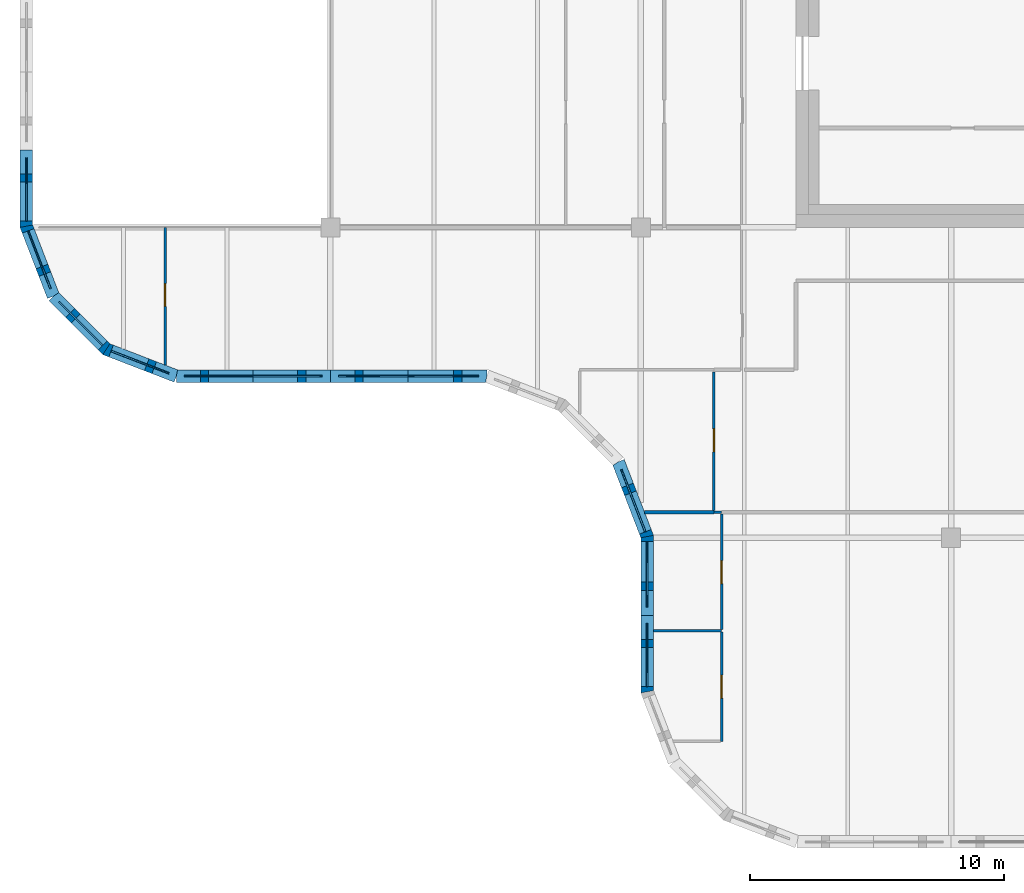
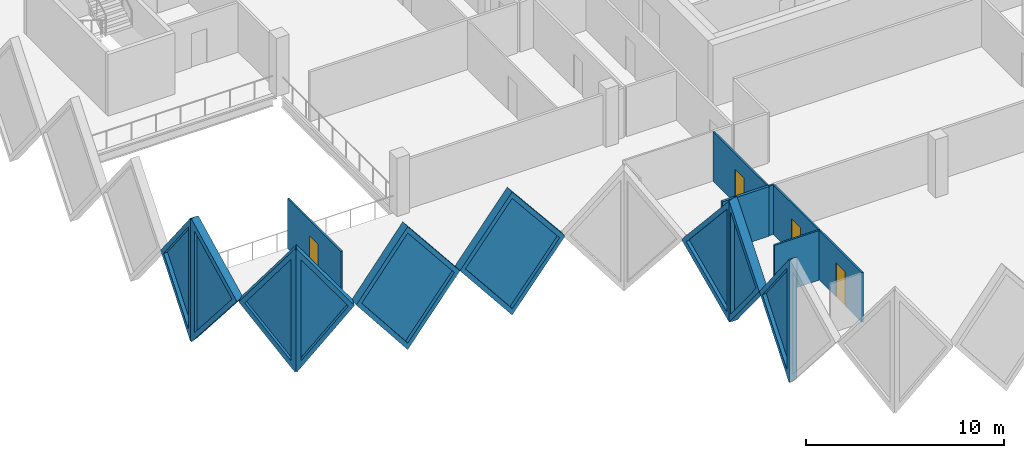
# One storey, part 3 of 11: 16 walls, 9 plates, 4 doors, 13 openings.
"""IFC4 building model written with IfcOpenShell, lengths in metres."""

from ifc_helpers import new_model, si_unit, direction, frame, frame_2d, origin, place, context, subcontext, project, spatial, polyline, rectangle, outline, extrude, faceted_brep, source, transform, mapped, material, layer, layer_set, type_object, element, fill, save


model = new_model("IFC4")

# Units and contexts
model_context = context("Model", 3, precision=1e-05, world=origin(), true_north=direction((0.0, 1.0)))
body_context = subcontext(model_context, "Body", "Model", "MODEL_VIEW")
ifc_project = project(units=[si_unit("LENGTHUNIT", "METRE"), si_unit("AREAUNIT", "SQUARE_METRE"), si_unit("VOLUMEUNIT", "CUBIC_METRE"), si_unit("PLANEANGLEUNIT", "RADIAN"), si_unit("MASSUNIT", "GRAM", prefix="KILO")], contexts=[model_context])

# Site, building, storey
site_placement = place(None, origin())
site = spatial("IfcSite", under=ifc_project, at=site_placement, CompositionType="ELEMENT")
building_placement = place(site_placement, origin())
building = spatial("IfcBuilding", under=site, at=building_placement, Name="Tessera Gate Towers", CompositionType="ELEMENT")
storey_placement = place(building_placement, frame((0.0, 0.0, 201.699951171875)))
storey = spatial("IfcBuildingStorey", under=building, at=storey_placement, Name="L50", CompositionType="ELEMENT", Elevation=201.699951171875)

# Wall, opening, door
ifc_material_1 = material(Name="Glass", Category="glass")
ifc_layer_1 = layer(ifc_material_1, 0.10009765625)
ifc_layer_set_1 = layer_set([ifc_layer_1], Name="GLAZED PARTITION 100")
wall_type_1 = type_object("IfcWallType", Name="GLAZED PARTITION 100", PredefinedType="PARTITIONING", material=ifc_layer_set_1)
wall_1_placement = place(storey_placement, frame((27.574951171875, 4.199951171875, 0.0), z_axis=(0.0, 0.0, 1.0), x_axis=(0.0, 1.0, 0.0)))
wall_1 = element("IfcWall", 1, at=wall_1_placement, inside=storey, type_object=wall_type_1, Name="T1-L50-PW-004", PredefinedType="PARTITIONING", context=body_context, shape_type="SweptSolid", body=[
    extrude(rectangle(XDim=4.296875, YDim=0.10009765625, at=frame_2d((2.1484375, 0.0))), origin(), (0.0, 0.0, 1.0), 3.067138671875),
])
shared_shape_1 = source(origin(), body_context, "Body", "SweptSolid", [
    extrude(rectangle(XDim=0.89990234375, YDim=2.10009765625, at=frame_2d((0.449951171875, 1.050048828125))), frame((0.0, 0.06005859375, 0.0), z_axis=(0.0, -1.0, 0.0), x_axis=(1.0, 0.0, 0.0)), (0.0, 0.0, 1.0), 0.1201171875),
])
opening_1_placement = place(wall_1_placement, frame((1.699951171875, 0.0, 0.0)))
opening_1 = element("IfcOpeningElement", 2, at=opening_1_placement, cuts=wall_1, Name="Opening D690-A18-04", PredefinedType="OPENING", context=body_context, shape_type="MappedRepresentation", body=[
    mapped(shared_shape_1, transform((0.0, 0.0, 0.0), scale=1.0)),
])
ifc_material_2 = material(Name="Glass in aluminium frame", Category="aluminium")
door_type = type_object("IfcDoorType", Name="GLAZED DOOR 900 NOT RATED", OperationType="NOTDEFINED", PredefinedType="DOOR", material=ifc_material_2)
shared_shape_2 = source(origin(), body_context, "Body", "SweptSolid", [
    extrude(rectangle(XDim=0.89990234375, YDim=2.10009765625, at=frame_2d((0.449951171875, 1.050048828125))), frame((0.0, 0.02490234375, 0.0), z_axis=(0.0, -1.0, 0.0), x_axis=(1.0, 0.0, 0.0)), (0.0, 0.0, 1.0), 0.050048828125),
])
door_1_placement = place(opening_1_placement, origin())
door_1 = element("IfcDoor", 3, at=door_1_placement, inside=storey, type_object=door_type, Name="T1-L50-PD-010", OperationType="SINGLE_SWING_LEFT", OverallHeight=2.10009765625, OverallWidth=0.89990234375, PredefinedType="DOOR", context=body_context, shape_type="MappedRepresentation", body=[
    mapped(shared_shape_2, transform((0.0, 0.0, 0.0), scale=1.0)),
])
fill(opening_1, door_1)

wall_2_placement = place(storey_placement, frame((27.574951171875, 8.598876953125, 0.0), z_axis=(0.0, 0.0, 1.0), x_axis=(0.0, 1.0, 0.0)))
wall_2 = element("IfcWall", 4, at=wall_2_placement, inside=storey, type_object=wall_type_1, Name="T1-L50-PW-009", PredefinedType="PARTITIONING", context=body_context, shape_type="SweptSolid", body=[
    extrude(rectangle(XDim=4.525146484375, YDim=0.10009765625, at=frame_2d((2.2626953125, 0.0))), origin(), (0.0, 0.0, 1.0), 3.067138671875),
])
opening_2_placement = place(wall_2_placement, frame((1.800048828125, 0.0, 0.0)))
opening_2 = element("IfcOpeningElement", 5, at=opening_2_placement, cuts=wall_2, Name="Opening D690-A18-01", PredefinedType="OPENING", context=body_context, shape_type="MappedRepresentation", body=[
    mapped(shared_shape_1, transform((0.0, 0.0, 0.0), scale=1.0)),
])
door_2_placement = place(opening_2_placement, origin())
door_2 = element("IfcDoor", 6, at=door_2_placement, inside=storey, type_object=door_type, Name="T1-L50-PD-004", OperationType="SINGLE_SWING_LEFT", OverallHeight=2.10009765625, OverallWidth=0.89990234375, PredefinedType="DOOR", context=body_context, shape_type="MappedRepresentation", body=[
    mapped(shared_shape_2, transform((0.0, 0.0, 0.0), scale=1.0)),
])
fill(opening_2, door_2)

# Wall
wall_3_placement = place(storey_placement, frame((27.27587890625, 13.199951171875, 0.0), z_axis=(0.0, 0.0, 1.0), x_axis=(1.0, 0.0, 0.0)))
element("IfcWall", 7, at=wall_3_placement, inside=storey, type_object=wall_type_1, Name="T1-L50-PW-012", PredefinedType="PARTITIONING", context=body_context, shape_type="SweptSolid", body=[
    extrude(rectangle(XDim=0.298095703125, YDim=0.10009765625, at=frame_2d((0.14892578125, 0.0))), origin(), (0.0, 0.0, 1.0), 3.067138671875),
])

# Wall, opening, door
wall_4_placement = place(storey_placement, frame((27.27490234375, 13.27587890625, 0.0), z_axis=(0.0, 0.0, 1.0), x_axis=(0.0, 1.0, 0.0)))
wall_4 = element("IfcWall", 8, at=wall_4_placement, inside=storey, type_object=wall_type_1, Name="T1-L50-PW-014", PredefinedType="PARTITIONING", context=body_context, shape_type="SweptSolid", body=[
    extrude(rectangle(XDim=5.4482421875, YDim=0.10009765625, at=frame_2d((2.72412109375, 0.0))), origin(), (0.0, 0.0, 1.0), 3.067138671875),
])
opening_3_placement = place(wall_4_placement, frame((2.300048828125, 0.0, 0.0)))
opening_3 = element("IfcOpeningElement", 9, at=opening_3_placement, cuts=wall_4, Name="Opening D690-A18-03", PredefinedType="OPENING", context=body_context, shape_type="MappedRepresentation", body=[
    mapped(shared_shape_1, transform((0.0, 0.0, 0.0), scale=1.0)),
])
door_3_placement = place(opening_3_placement, origin())
door_3 = element("IfcDoor", 10, at=door_3_placement, inside=storey, type_object=door_type, Name="T1-L50-PD-008", OperationType="SINGLE_SWING_LEFT", OverallHeight=2.10009765625, OverallWidth=0.89990234375, PredefinedType="DOOR", context=body_context, shape_type="MappedRepresentation", body=[
    mapped(shared_shape_2, transform((0.0, 0.0, 0.0), scale=1.0)),
])
fill(opening_3, door_3)

wall_5_placement = place(storey_placement, frame((5.699951171875, 18.990234375, 0.0), z_axis=(0.0, 0.0, 1.0), x_axis=(0.0, 1.0, 0.0)))
wall_5 = element("IfcWall", 11, at=wall_5_placement, inside=storey, type_object=wall_type_1, Name="T1-L50-PW-025", PredefinedType="PARTITIONING", context=body_context, shape_type="SweptSolid", body=[
    extrude(rectangle(XDim=5.40966796875, YDim=0.10009765625, at=frame_2d((2.704833984375, 0.0))), origin(), (0.0, 0.0, 1.0), 3.067138671875),
])
opening_4_placement = place(wall_5_placement, frame((2.300048828125, 0.0, 0.0)))
opening_4 = element("IfcOpeningElement", 12, at=opening_4_placement, cuts=wall_5, Name="Opening D690-A18-02", PredefinedType="OPENING", context=body_context, shape_type="MappedRepresentation", body=[
    mapped(shared_shape_1, transform((0.0, 0.0, 0.0), scale=1.0)),
])
door_4_placement = place(opening_4_placement, origin())
door_4 = element("IfcDoor", 13, at=door_4_placement, inside=storey, type_object=door_type, Name="T1-L50-PD-007", OperationType="SINGLE_SWING_LEFT", OverallHeight=2.10009765625, OverallWidth=0.89990234375, PredefinedType="DOOR", context=body_context, shape_type="MappedRepresentation", body=[
    mapped(shared_shape_2, transform((0.0, 0.0, 0.0), scale=1.0)),
])
fill(opening_4, door_4)

# Walls
ifc_material_3 = material(Name="Gypsum board on steel studs", Category="steel")
ifc_layer_2 = layer(ifc_material_3, 0.10009765625)
ifc_layer_set_2 = layer_set([ifc_layer_2], Name="PARTITION 100")
wall_type_2 = type_object("IfcWallType", Name="PARTITION 100", PredefinedType="PARTITIONING", material=ifc_layer_set_2)
wall_6_placement = place(storey_placement, frame((24.89990234375, 8.548095703125, 0.0), z_axis=(0.0, 0.0, 1.0), x_axis=(1.0, 0.0, 0.0)))
element("IfcWall", 14, at=wall_6_placement, inside=storey, type_object=wall_type_2, Name="T1-L50-PW-008", PredefinedType="PARTITIONING", context=body_context, shape_type="SweptSolid", body=[
    extrude(rectangle(XDim=2.675048828125, YDim=0.10009765625, at=frame_2d((1.33740234375, 0.0))), origin(), (0.0, 0.0, 1.0), 3.067138671875),
])
ifc_material_4 = material(Name="Gypsum board on steel studs, mineral wool", Category="steel")
ifc_layer_3 = layer(ifc_material_4, 0.14990234375)
ifc_layer_set_3 = layer_set([ifc_layer_3], Name="TENANCY WALL 150")
wall_type_3 = type_object("IfcWallType", Name="TENANCY WALL 150", PredefinedType="PARTITIONING", material=ifc_layer_set_3)
wall_7_placement = place(storey_placement, frame((24.55029296875, 13.199951171875, 0.0), z_axis=(0.0, 0.0, 1.0), x_axis=(1.0, 0.0, 0.0)))
element("IfcWall", 15, at=wall_7_placement, inside=storey, type_object=wall_type_3, Name="T1-L50-PW-011", PredefinedType="PARTITIONING", context=body_context, shape_type="SweptSolid", body=[
    extrude(rectangle(XDim=2.724609375, YDim=0.14990234375, at=frame_2d((1.3623046875, 0.0))), origin(), (0.0, 0.0, 1.0), 3.067138671875),
])

# Wall, opening, plate
ifc_material_5 = material(Name="Precast concrete C60/75 white", Category="concrete")
ifc_layer_4 = layer(ifc_material_5, 0.5)
ifc_layer_set_4 = layer_set([ifc_layer_4], Name="TS1 tessera")
wall_type_4 = type_object("IfcWallType", Name="TS1 tessera", PredefinedType="SOLIDWALL", material=ifc_layer_set_4)
shared_shape_3 = source(origin(), body_context, "Body", "Brep", [
    faceted_brep([(3.00341796875, -0.25, 0.0), (6.053466796875, -0.25, 3.800048828125), (3.00341796875, -0.25, 7.60009765625), (0.0, -0.25, 3.800048828125), (0.046630859375, 0.25, 3.85888671875), (3.00341796875, 0.25, 7.60009765625), (6.053466796875, 0.25, 3.800048828125), (3.00341796875, 0.25, 0.0), (0.046630859375, 0.25, 3.7412109375), (0.0, 0.0, 3.800048828125)], [[[0, 1, 2, 3]], [[4, 5, 6, 7, 8]], [[7, 6, 1, 0]], [[6, 5, 2, 1]], [[5, 4, 9, 3, 2]], [[8, 7, 0, 3, 9]], [[8, 9, 4]]]),
])
wall_8_placement = place(storey_placement, frame((6.146484375, 18.550048828125, -3.800048828125), z_axis=(0.0, 0.0, 1.0), x_axis=(1.0, 0.0, 0.0)))
wall_8 = element("IfcWall", 16, at=wall_8_placement, inside=storey, type_object=wall_type_4, Name="Precast tessera T1 TS1-0872", PredefinedType="SOLIDWALL", context=body_context, shape_type="MappedRepresentation", body=[
    mapped(shared_shape_3, transform((0.0, 0.0, 0.0), scale=1.0)),
])
shared_shape_4 = source(origin(), body_context, "Body", "SweptSolid", [
    extrude(outline(polyline([(3.0048828125, 0.4013671875), (5.73291015625, 3.800048828125), (3.0048828125, 7.19873046875), (0.318603515625, 3.800048828125), (3.0048828125, 0.4013671875)])), frame((0.0, 0.260009765625, 0.0), z_axis=(0.0, -1.0, 0.0), x_axis=(1.0, 0.0, 0.0)), (0.0, 0.0, 1.0), 0.52001953125),
])
opening_5_placement = place(wall_8_placement, origin())
opening_5 = element("IfcOpeningElement", 17, at=opening_5_placement, cuts=wall_8, Name="Opening T1-PL2-1776", PredefinedType="OPENING", context=body_context, shape_type="MappedRepresentation", body=[
    mapped(shared_shape_4, transform((0.0, 0.0, 0.0), scale=1.0)),
])
ifc_material_6 = material(Name="Low-e laminated glass", Category="glass")
ifc_layer_5 = layer(ifc_material_6, 0.06005859375)
ifc_layer_set_5 = layer_set([ifc_layer_5], Name="PL2 rhombic pane")
plate_type = type_object("IfcPlateType", Name="PL2 rhombic pane", PredefinedType="SHEET", material=ifc_layer_set_5)
shared_shape_5 = source(origin(), body_context, "Body", "SweptSolid", [
    extrude(outline(polyline([(3.0048828125, 0.4013671875), (5.73291015625, 3.800048828125), (3.0048828125, 7.19873046875), (0.318603515625, 3.800048828125), (3.0048828125, 0.4013671875)])), frame((0.0, 0.030029296875, 0.0), z_axis=(0.0, -1.0, 0.0), x_axis=(1.0, 0.0, 0.0)), (0.0, 0.0, 1.0), 0.06005859375),
])
plate_1_placement = place(opening_5_placement, origin())
plate_1 = element("IfcPlate", 18, at=plate_1_placement, inside=storey, type_object=plate_type, Name="Glass pane T1 PL2-1776", PredefinedType="SHEET", context=body_context, shape_type="MappedRepresentation", body=[
    mapped(shared_shape_5, transform((0.0, 0.0, 0.0), scale=1.0)),
])
fill(opening_5, plate_1)

ifc_material_7 = material(Name="Precast concrete C60/75 white", Category="concrete")
ifc_layer_6 = layer(ifc_material_7, 0.5)
ifc_layer_set_6 = layer_set([ifc_layer_6], Name="TS3 corner tessera")
wall_type_5 = type_object("IfcWallType", Name="TS3 corner tessera", PredefinedType="SOLIDWALL", material=ifc_layer_set_6)
shared_shape_6 = source(origin(), body_context, "Body", "Brep", [
    faceted_brep([(3.00341796875, -0.25, 0.0), (3.050048828125, -0.25, 0.06005859375), (3.050048828125, -0.25, 7.5400390625), (3.00341796875, -0.25, 7.60009765625), (0.0, -0.25, 3.800048828125), (0.0, 0.25, 3.800048828125), (2.956787109375, 0.25, 7.541259765625), (2.956787109375, 0.25, 0.058837890625), (3.00341796875, 0.000244140625, 0.0), (3.00341796875, 0.000244140625, 7.60009765625)], [[[0, 1, 2, 3, 4]], [[5, 6, 7]], [[1, 0, 8]], [[9, 3, 2]], [[6, 5, 4, 3, 9]], [[5, 7, 8, 0, 4]], [[1, 8, 7, 6, 9, 2]]]),
])
wall_9_placement = place(storey_placement, frame((0.25, 27.449951171875, -3.800048828125), z_axis=(0.0, 0.0, 1.0), x_axis=(0.0, -1.0, 0.0)))
wall_9 = element("IfcWall", 19, at=wall_9_placement, inside=storey, type_object=wall_type_5, Name="Precast corner tessera T1 TS3-1165", PredefinedType="SOLIDWALL", context=body_context, shape_type="MappedRepresentation", body=[
    mapped(shared_shape_6, transform((0.0, 0.0, 0.0), scale=1.0)),
])
shared_shape_7 = source(origin(), body_context, "Body", "SweptSolid", [
    extrude(outline(polyline([(2.803466796875, 6.94384765625), (0.318603515625, 3.800048828125), (2.803466796875, 0.65625), (2.803466796875, 6.94384765625)])), frame((0.0, 0.260009765625, 0.0), z_axis=(0.0, -1.0, 0.0), x_axis=(1.0, 0.0, 0.0)), (0.0, 0.0, 1.0), 0.52001953125),
])
opening_6_placement = place(wall_9_placement, origin())
opening_6 = element("IfcOpeningElement", 20, at=opening_6_placement, cuts=wall_9, Name="Opening T1-PL2-1772", PredefinedType="OPENING", context=body_context, shape_type="MappedRepresentation", body=[
    mapped(shared_shape_7, transform((0.0, 0.0, 0.0), scale=1.0)),
])
shared_shape_8 = source(origin(), body_context, "Body", "SweptSolid", [
    extrude(outline(polyline([(2.803466796875, 6.94384765625), (0.318603515625, 3.800048828125), (2.803466796875, 0.65625), (2.803466796875, 6.94384765625)])), frame((0.0, 0.030029296875, 0.0), z_axis=(0.0, -1.0, 0.0), x_axis=(1.0, 0.0, 0.0)), (0.0, 0.0, 1.0), 0.06005859375),
])
plate_2_placement = place(opening_6_placement, origin())
plate_2 = element("IfcPlate", 21, at=plate_2_placement, inside=storey, type_object=plate_type, Name="Glass pane T1 PL2-1772", PredefinedType="SHEET", context=body_context, shape_type="MappedRepresentation", body=[
    mapped(shared_shape_8, transform((0.0, 0.0, 0.0), scale=1.0)),
])
fill(opening_6, plate_2)

wall_10_placement = place(storey_placement, frame((24.64990234375, 9.14990234375, -3.800048828125), z_axis=(0.0, 0.0, 1.0), x_axis=(0.0, -1.0, 0.0)))
wall_10 = element("IfcWall", 22, at=wall_10_placement, inside=storey, type_object=wall_type_5, Name="Precast corner tessera T1 TS3-1173", PredefinedType="SOLIDWALL", context=body_context, shape_type="MappedRepresentation", body=[
    mapped(shared_shape_6, transform((0.0, 0.0, 0.0), scale=1.0)),
])
opening_7_placement = place(wall_10_placement, origin())
opening_7 = element("IfcOpeningElement", 23, at=opening_7_placement, cuts=wall_10, Name="Opening T1-PL2-1782", PredefinedType="OPENING", context=body_context, shape_type="MappedRepresentation", body=[
    mapped(shared_shape_7, transform((0.0, 0.0, 0.0), scale=1.0)),
])
plate_3_placement = place(opening_7_placement, origin())
plate_3 = element("IfcPlate", 24, at=plate_3_placement, inside=storey, type_object=plate_type, Name="Glass pane T1 PL2-1782", PredefinedType="SHEET", context=body_context, shape_type="MappedRepresentation", body=[
    mapped(shared_shape_8, transform((0.0, 0.0, 0.0), scale=1.0)),
])
fill(opening_7, plate_3)

shared_shape_9 = source(origin(), body_context, "Body", "Brep", [
    faceted_brep([(0.046630859375, -0.25, 0.0), (2.9970703125, -0.25, 3.800048828125), (0.046630859375, -0.25, 7.60009765625), (0.0, -0.25, 7.541259765625), (0.0, -0.25, 0.058837890625), (0.09326171875, 0.25, 7.5400390625), (2.9443359375, 0.25, 3.8681640625), (2.9443359375, 0.25, 3.73193359375), (0.09326171875, 0.25, 0.06005859375), (2.9970703125, 0.00048828125, 3.800048828125), (0.046630859375, 0.0, 0.0), (0.046630859375, 0.0, 7.60009765625)], [[[0, 1, 2, 3, 4]], [[5, 6, 7, 8]], [[8, 7, 9, 1, 0, 10]], [[6, 5, 11, 2, 1, 9]], [[3, 2, 11]], [[10, 0, 4]], [[8, 10, 4, 3, 11, 5]], [[9, 7, 6]]]),
])
wall_11_placement = place(storey_placement, frame((0.233154296875, 24.489990234375, -3.800048828125), z_axis=(0.0, 0.0, 1.0), x_axis=(0.359901446078, -0.932990326376, 0.0)))
wall_11 = element("IfcWall", 25, at=wall_11_placement, inside=storey, type_object=wall_type_5, Name="Precast corner tessera T1 TS3-1166", PredefinedType="SOLIDWALL", context=body_context, shape_type="MappedRepresentation", body=[
    mapped(shared_shape_9, transform((0.0, 0.0, 0.0), scale=1.0)),
])
shared_shape_10 = source(origin(), body_context, "Body", "SweptSolid", [
    extrude(outline(polyline([(0.24658203125, 0.665283203125), (2.6806640625, 3.800048828125), (0.24658203125, 6.934814453125), (0.24658203125, 0.665283203125)])), frame((0.0, 0.260009765625, 0.0), z_axis=(0.0, -1.0, 0.0), x_axis=(1.0, 0.0, 0.0)), (0.0, 0.0, 1.0), 0.52001953125),
])
opening_8_placement = place(wall_11_placement, origin())
opening_8 = element("IfcOpeningElement", 26, at=opening_8_placement, cuts=wall_11, Name="Opening T1-PL2-1773", PredefinedType="OPENING", context=body_context, shape_type="MappedRepresentation", body=[
    mapped(shared_shape_10, transform((0.0, 0.0, 0.0), scale=1.0)),
])
shared_shape_11 = source(origin(), body_context, "Body", "SweptSolid", [
    extrude(outline(polyline([(0.24658203125, 0.665283203125), (2.6806640625, 3.800048828125), (0.24658203125, 6.934814453125), (0.24658203125, 0.665283203125)])), frame((0.0, 0.030029296875, 0.0), z_axis=(0.0, -1.0, 0.0), x_axis=(1.0, 0.0, 0.0)), (0.0, 0.0, 1.0), 0.06005859375),
])
plate_4_placement = place(opening_8_placement, origin())
plate_4 = element("IfcPlate", 27, at=plate_4_placement, inside=storey, type_object=plate_type, Name="Glass pane T1 PL2-1773", PredefinedType="SHEET", context=body_context, shape_type="MappedRepresentation", body=[
    mapped(shared_shape_11, transform((0.0, 0.0, 0.0), scale=1.0)),
])
fill(opening_8, plate_4)

shared_shape_12 = source(origin(), body_context, "Body", "Brep", [
    faceted_brep([(0.052978515625, -0.25, 0.0), (3.00341796875, -0.25, 3.800048828125), (0.052978515625, -0.25, 7.60009765625), (0.0, -0.25, 7.53173828125), (0.0, -0.25, 0.068359375), (0.10595703125, 0.25, 7.531982421875), (2.95703125, 0.25, 3.85986328125), (2.95703125, 0.25, 3.740234375), (0.10595703125, 0.25, 0.068115234375), (3.00341796875, 0.00048828125, 3.800048828125), (0.052978515625, 0.0, 0.0), (0.052978515625, 0.0, 7.60009765625)], [[[0, 1, 2, 3, 4]], [[5, 6, 7, 8]], [[8, 7, 9, 1, 0, 10]], [[6, 5, 11, 2, 1, 9]], [[3, 2, 11]], [[10, 0, 4]], [[8, 10, 4, 3, 11, 5]], [[9, 7, 6]]]),
])
wall_12_placement = place(storey_placement, frame((3.34423828125, 19.630859375, -3.800048828125), z_axis=(0.0, 0.0, 1.0), x_axis=(0.933007896601, -0.359855894603, 0.0)))
wall_12 = element("IfcWall", 28, at=wall_12_placement, inside=storey, type_object=wall_type_5, Name="Precast corner tessera T1 TS3-1168", PredefinedType="SOLIDWALL", context=body_context, shape_type="MappedRepresentation", body=[
    mapped(shared_shape_12, transform((0.0, 0.0, 0.0), scale=1.0)),
])
shared_shape_13 = source(origin(), body_context, "Body", "SweptSolid", [
    extrude(outline(polyline([(0.2529296875, 0.665283203125), (2.68701171875, 3.800048828125), (0.2529296875, 6.934814453125), (0.2529296875, 0.665283203125)])), frame((0.0, 0.260009765625, 0.0), z_axis=(0.0, -1.0, 0.0), x_axis=(1.0, 0.0, 0.0)), (0.0, 0.0, 1.0), 0.52001953125),
])
opening_9_placement = place(wall_12_placement, origin())
opening_9 = element("IfcOpeningElement", 29, at=opening_9_placement, cuts=wall_12, Name="Opening T1-PL2-1775", PredefinedType="OPENING", context=body_context, shape_type="MappedRepresentation", body=[
    mapped(shared_shape_13, transform((0.0, 0.0, 0.0), scale=1.0)),
])
shared_shape_14 = source(origin(), body_context, "Body", "SweptSolid", [
    extrude(outline(polyline([(0.2529296875, 0.665283203125), (2.68701171875, 3.800048828125), (0.2529296875, 6.934814453125), (0.2529296875, 0.665283203125)])), frame((0.0, 0.030029296875, 0.0), z_axis=(0.0, -1.0, 0.0), x_axis=(1.0, 0.0, 0.0)), (0.0, 0.0, 1.0), 0.06005859375),
])
plate_5_placement = place(opening_9_placement, origin())
plate_5 = element("IfcPlate", 30, at=plate_5_placement, inside=storey, type_object=plate_type, Name="Glass pane T1 PL2-1775", PredefinedType="SHEET", context=body_context, shape_type="MappedRepresentation", body=[
    mapped(shared_shape_14, transform((0.0, 0.0, 0.0), scale=1.0)),
])
fill(opening_9, plate_5)

shared_shape_15 = source(origin(), body_context, "Body", "Brep", [
    faceted_brep([(2.944091796875, -0.25, 0.0), (2.9970703125, -0.25, 0.068115234375), (2.9970703125, -0.25, 7.531982421875), (2.944091796875, -0.25, 7.60009765625), (0.0, -0.25, 3.800048828125), (0.052978515625, 0.25, 3.868408203125), (2.89111328125, 0.25, 7.531982421875), (2.89111328125, 0.25, 0.068115234375), (0.052978515625, 0.25, 3.731689453125), (2.944091796875, 0.000244140625, 0.0), (2.944091796875, 0.000244140625, 7.60009765625), (0.0, 0.0, 3.800048828125)], [[[0, 1, 2, 3, 4]], [[5, 6, 7, 8]], [[1, 0, 9]], [[10, 3, 2]], [[6, 5, 11, 4, 3, 10]], [[8, 7, 9, 0, 4, 11]], [[8, 11, 5]], [[1, 9, 7, 6, 10, 2]]]),
])
wall_13_placement = place(storey_placement, frame((1.31201171875, 21.69384765625, -3.800048828125), z_axis=(0.0, 0.0, 1.0), x_axis=(0.707066050402, -0.707147509625, 0.0)))
wall_13 = element("IfcWall", 31, at=wall_13_placement, inside=storey, type_object=wall_type_5, Name="Precast corner tessera T1 TS3-1167", PredefinedType="SOLIDWALL", context=body_context, shape_type="MappedRepresentation", body=[
    mapped(shared_shape_15, transform((0.0, 0.0, 0.0), scale=1.0)),
])
shared_shape_16 = source(origin(), body_context, "Body", "SweptSolid", [
    extrude(outline(polyline([(2.744140625, 6.933837890625), (0.316162109375, 3.800048828125), (2.744140625, 0.66650390625), (2.744140625, 6.933837890625)])), frame((0.0, 0.260009765625, 0.0), z_axis=(0.0, -1.0, 0.0), x_axis=(1.0, 0.0, 0.0)), (0.0, 0.0, 1.0), 0.52001953125),
])
opening_10_placement = place(wall_13_placement, origin())
opening_10 = element("IfcOpeningElement", 32, at=opening_10_placement, cuts=wall_13, Name="Opening T1-PL2-1774", PredefinedType="OPENING", context=body_context, shape_type="MappedRepresentation", body=[
    mapped(shared_shape_16, transform((0.0, 0.0, 0.0), scale=1.0)),
])
shared_shape_17 = source(origin(), body_context, "Body", "SweptSolid", [
    extrude(outline(polyline([(2.744140625, 6.933837890625), (0.316162109375, 3.800048828125), (2.744140625, 0.66650390625), (2.744140625, 6.933837890625)])), frame((0.0, 0.030029296875, 0.0), z_axis=(0.0, -1.0, 0.0), x_axis=(1.0, 0.0, 0.0)), (0.0, 0.0, 1.0), 0.06005859375),
])
plate_6_placement = place(opening_10_placement, origin())
plate_6 = element("IfcPlate", 33, at=plate_6_placement, inside=storey, type_object=plate_type, Name="Glass pane T1 PL2-1774", PredefinedType="SHEET", context=body_context, shape_type="MappedRepresentation", body=[
    mapped(shared_shape_17, transform((0.0, 0.0, 0.0), scale=1.0)),
])
fill(opening_10, plate_6)

shared_shape_18 = source(origin(), body_context, "Body", "Brep", [
    faceted_brep([(3.050048828125, -0.25, 0.0), (6.10009765625, -0.25, 3.742919921875), (6.10009765625, -0.25, 3.857177734375), (3.050048828125, -0.25, 7.60009765625), (0.0, -0.25, 3.800048828125), (0.0, 0.25, 3.800048828125), (3.050048828125, 0.25, 7.60009765625), (6.146484375, 0.25, 3.800048828125), (3.050048828125, 0.25, 0.0), (6.146484375, -0.000244140625, 3.800048828125)], [[[0, 1, 2, 3, 4]], [[5, 6, 7, 8]], [[8, 7, 9, 1, 0]], [[7, 6, 3, 2, 9]], [[6, 5, 4, 3]], [[5, 8, 0, 4]], [[1, 9, 2]]]),
])
wall_14_placement = place(storey_placement, frame((12.199951171875, 18.550048828125, -3.800048828125), z_axis=(0.0, 0.0, 1.0), x_axis=(1.0, 0.0, 0.0)))
wall_14 = element("IfcWall", 34, at=wall_14_placement, inside=storey, type_object=wall_type_4, Name="Precast tessera T1 TS1-0873", PredefinedType="SOLIDWALL", context=body_context, shape_type="MappedRepresentation", body=[
    mapped(shared_shape_18, transform((0.0, 0.0, 0.0), scale=1.0)),
])
shared_shape_19 = source(origin(), body_context, "Body", "SweptSolid", [
    extrude(outline(polyline([(3.051513671875, 0.397705078125), (5.823974609375, 3.800048828125), (3.051513671875, 7.20263671875), (0.320556640625, 3.800048828125), (3.051513671875, 0.397705078125)])), frame((0.0, 0.260009765625, 0.0), z_axis=(0.0, -1.0, 0.0), x_axis=(1.0, 0.0, 0.0)), (0.0, 0.0, 1.0), 0.52001953125),
])
opening_11_placement = place(wall_14_placement, origin())
opening_11 = element("IfcOpeningElement", 35, at=opening_11_placement, cuts=wall_14, Name="Opening T1-PL2-1777", PredefinedType="OPENING", context=body_context, shape_type="MappedRepresentation", body=[
    mapped(shared_shape_19, transform((0.0, 0.0, 0.0), scale=1.0)),
])
shared_shape_20 = source(origin(), body_context, "Body", "SweptSolid", [
    extrude(outline(polyline([(3.051513671875, 0.397705078125), (5.823974609375, 3.800048828125), (3.051513671875, 7.20263671875), (0.320556640625, 3.800048828125), (3.051513671875, 0.397705078125)])), frame((0.0, 0.030029296875, 0.0), z_axis=(0.0, -1.0, 0.0), x_axis=(1.0, 0.0, 0.0)), (0.0, 0.0, 1.0), 0.06005859375),
])
plate_7_placement = place(opening_11_placement, origin())
plate_7 = element("IfcPlate", 36, at=plate_7_placement, inside=storey, type_object=plate_type, Name="Glass pane T1 PL2-1777", PredefinedType="SHEET", context=body_context, shape_type="MappedRepresentation", body=[
    mapped(shared_shape_20, transform((0.0, 0.0, 0.0), scale=1.0)),
])
fill(opening_11, plate_7)

shared_shape_21 = source(origin(), body_context, "Body", "Brep", [
    faceted_brep([(3.10302734375, -0.25, 7.5439453125), (0.052978515625, -0.25, 3.864013671875), (0.052978515625, -0.25, 3.736083984375), (3.10302734375, -0.25, 0.05615234375), (0.0, 0.25, 3.800048828125), (3.1494140625, 0.25, 7.60009765625), (3.196044921875, 0.25, 7.54296875), (3.196044921875, 0.25, 0.05712890625), (3.1494140625, 0.25, 0.0), (3.1494140625, -0.000244140625, 0.0), (3.1494140625, -0.000244140625, 7.60009765625), (0.0, 0.0, 3.800048828125)], [[[0, 1, 2, 3]], [[4, 5, 6, 7, 8]], [[8, 7, 9]], [[6, 5, 10]], [[5, 4, 11, 1, 0, 10]], [[4, 8, 9, 3, 2, 11]], [[11, 2, 1]], [[3, 9, 7, 6, 10, 0]]]),
])
wall_15_placement = place(storey_placement, frame((23.5166015625, 15.18505859375, -3.800048828125), z_axis=(0.0, 0.0, 1.0), x_axis=(0.359864468756, -0.933004589553, 0.0)))
wall_15 = element("IfcWall", 37, at=wall_15_placement, inside=storey, type_object=wall_type_5, Name="Precast corner tessera T1 TS3-1171", PredefinedType="SOLIDWALL", context=body_context, shape_type="MappedRepresentation", body=[
    mapped(shared_shape_21, transform((0.0, 0.0, 0.0), scale=1.0)),
])
shared_shape_22 = source(origin(), body_context, "Body", "SweptSolid", [
    extrude(outline(polyline([(2.949462890625, 6.967041015625), (0.32470703125, 3.800048828125), (2.949462890625, 0.63330078125), (2.949462890625, 6.967041015625)])), frame((0.0, 0.260009765625, 0.0), z_axis=(0.0, -1.0, 0.0), x_axis=(1.0, 0.0, 0.0)), (0.0, 0.0, 1.0), 0.52001953125),
])
opening_12_placement = place(wall_15_placement, origin())
opening_12 = element("IfcOpeningElement", 38, at=opening_12_placement, cuts=wall_15, Name="Opening T1-PL2-1780", PredefinedType="OPENING", context=body_context, shape_type="MappedRepresentation", body=[
    mapped(shared_shape_22, transform((0.0, 0.0, 0.0), scale=1.0)),
])
shared_shape_23 = source(origin(), body_context, "Body", "SweptSolid", [
    extrude(outline(polyline([(2.949462890625, 6.967041015625), (0.32470703125, 3.800048828125), (2.949462890625, 0.63330078125), (2.949462890625, 6.967041015625)])), frame((0.0, 0.030029296875, 0.0), z_axis=(0.0, -1.0, 0.0), x_axis=(1.0, 0.0, 0.0)), (0.0, 0.0, 1.0), 0.06005859375),
])
plate_8_placement = place(opening_12_placement, origin())
plate_8 = element("IfcPlate", 39, at=plate_8_placement, inside=storey, type_object=plate_type, Name="Glass pane T1 PL2-1780", PredefinedType="SHEET", context=body_context, shape_type="MappedRepresentation", body=[
    mapped(shared_shape_23, transform((0.0, 0.0, 0.0), scale=1.0)),
])
fill(opening_12, plate_8)

shared_shape_24 = source(origin(), body_context, "Body", "Brep", [
    faceted_brep([(0.09326171875, -0.25, 0.05712890625), (3.14306640625, -0.25, 3.800048828125), (0.09326171875, -0.25, 7.54296875), (0.0, 0.25, 7.5439453125), (0.046630859375, 0.25, 7.60009765625), (3.14306640625, 0.25, 3.800048828125), (0.046630859375, 0.25, 0.0), (0.0, 0.25, 0.05615234375), (0.046630859375, 0.0, 0.0), (0.046630859375, 0.0, 7.60009765625)], [[[0, 1, 2]], [[3, 4, 5, 6, 7]], [[6, 5, 1, 0, 8]], [[5, 4, 9, 2, 1]], [[4, 3, 9]], [[7, 6, 8]], [[7, 8, 0, 2, 9, 3]]]),
])
wall_16_placement = place(storey_placement, frame((24.64990234375, 12.293212890625, -3.800048828125), z_axis=(0.0, 0.0, 1.0), x_axis=(0.0, -1.0, 0.0)))
wall_16 = element("IfcWall", 40, at=wall_16_placement, inside=storey, type_object=wall_type_5, Name="Precast corner tessera T1 TS3-1172", PredefinedType="SOLIDWALL", context=body_context, shape_type="MappedRepresentation", body=[
    mapped(shared_shape_24, transform((0.0, 0.0, 0.0), scale=1.0)),
])
shared_shape_25 = source(origin(), body_context, "Body", "SweptSolid", [
    extrude(outline(polyline([(0.24658203125, 0.641357421875), (2.82080078125, 3.800048828125), (0.24658203125, 6.958984375), (0.24658203125, 0.641357421875)])), frame((0.0, 0.260009765625, 0.0), z_axis=(0.0, -1.0, 0.0), x_axis=(1.0, 0.0, 0.0)), (0.0, 0.0, 1.0), 0.52001953125),
])
opening_13_placement = place(wall_16_placement, origin())
opening_13 = element("IfcOpeningElement", 41, at=opening_13_placement, cuts=wall_16, Name="Opening T1-PL2-1781", PredefinedType="OPENING", context=body_context, shape_type="MappedRepresentation", body=[
    mapped(shared_shape_25, transform((0.0, 0.0, 0.0), scale=1.0)),
])
shared_shape_26 = source(origin(), body_context, "Body", "SweptSolid", [
    extrude(outline(polyline([(0.24658203125, 0.641357421875), (2.82080078125, 3.800048828125), (0.24658203125, 6.958984375), (0.24658203125, 0.641357421875)])), frame((0.0, 0.030029296875, 0.0), z_axis=(0.0, -1.0, 0.0), x_axis=(1.0, 0.0, 0.0)), (0.0, 0.0, 1.0), 0.06005859375),
])
plate_9_placement = place(opening_13_placement, origin())
plate_9 = element("IfcPlate", 42, at=plate_9_placement, inside=storey, type_object=plate_type, Name="Glass pane T1 PL2-1781", PredefinedType="SHEET", context=body_context, shape_type="MappedRepresentation", body=[
    mapped(shared_shape_26, transform((0.0, 0.0, 0.0), scale=1.0)),
])
fill(opening_13, plate_9)

save(model, "model.ifc")
